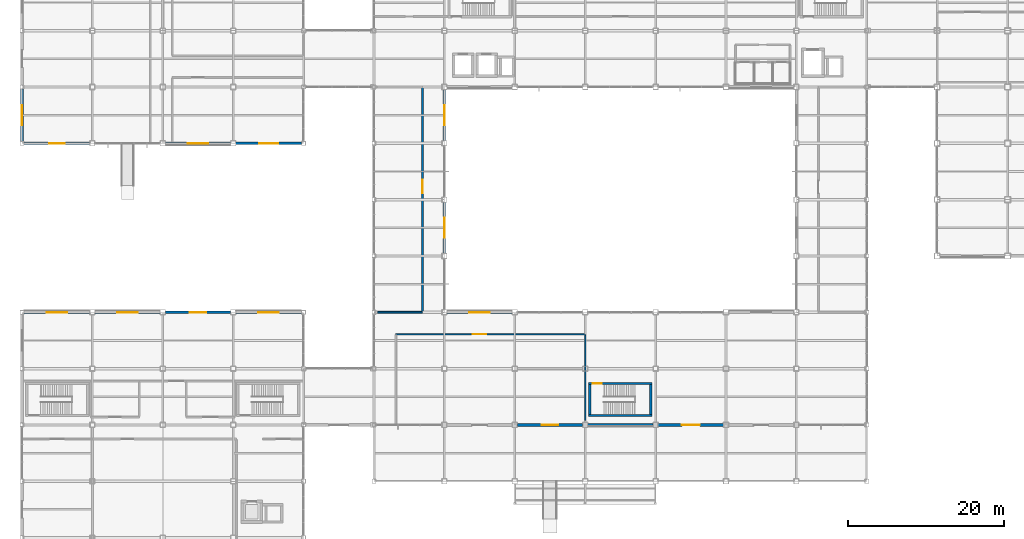
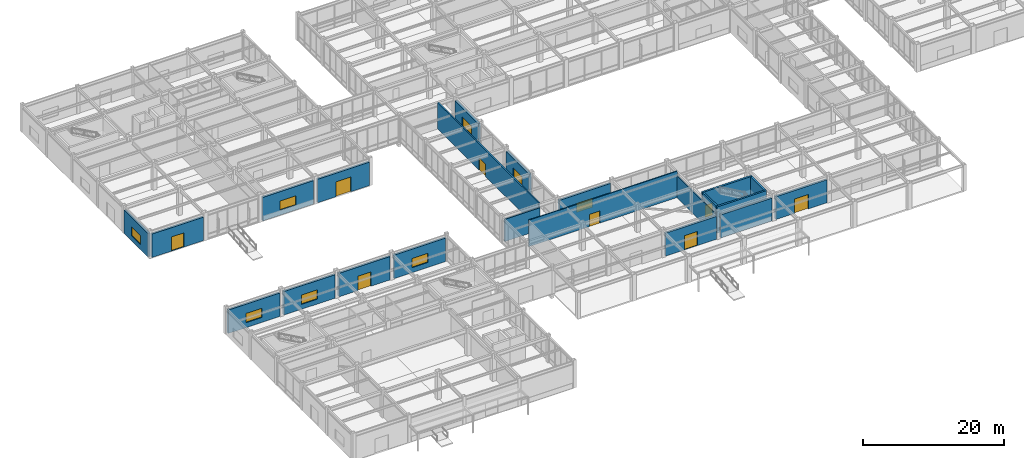
# One storey, part 88 of 112: 22 walls, 8 doors, 8 windows, 16 openings.
"""IFC4 building model written with IfcOpenShell, lengths in metres."""

from ifc_helpers import new_model, si_unit, direction, frame, frame_2d, origin, place, context, subcontext, project, spatial, rectangle, extrude, material, layer, layer_set, type_object, element, fill, save


model = new_model("IFC4")

# Units and contexts
model_context = context("Model", 3, precision=1e-05, world=origin(), true_north=direction((0.0, 1.0)))
body_context = subcontext(model_context, "Body", "Model", "MODEL_VIEW")
ifc_project = project(units=[si_unit("LENGTHUNIT", "METRE"), si_unit("AREAUNIT", "SQUARE_METRE"), si_unit("VOLUMEUNIT", "CUBIC_METRE"), si_unit("PLANEANGLEUNIT", "RADIAN"), si_unit("MASSUNIT", "GRAM", prefix="KILO")], contexts=[model_context])

# Site, building, storey
site_placement = place(None, origin())
site = spatial("IfcSite", under=ifc_project, at=site_placement, CompositionType="ELEMENT")
building_placement = place(site_placement, origin())
building = spatial("IfcBuilding", under=site, at=building_placement, Name="Kazanami Central Library", CompositionType="ELEMENT")
storey_placement = place(building_placement, origin())
storey = spatial("IfcBuildingStorey", under=building, at=storey_placement, Name="L01", CompositionType="ELEMENT", Elevation=0.0)

# Wall, opening, door
ifc_material_1 = material(Name="Concrete Fc36 (36 MPa)", Category="concrete")
ifc_layer_1 = layer(ifc_material_1, 0.27001953125, Name="Concrete Fc36 (36 MPa)")
ifc_material_2 = material(Name="Extruded Polystyrene XPS", Category="earth")
ifc_layer_2 = layer(ifc_material_2, 0.050048828125, Name="Extruded Polystyrene XPS")
ifc_material_3 = material(Name="Honed Inada Granite", Category="masonry")
ifc_layer_3 = layer(ifc_material_3, 0.030029296875, Name="Honed Inada Granite")
ifc_layer_set_1 = layer_set([ifc_layer_1, ifc_layer_2, ifc_layer_3], Name="Concrete Fc36 (36 MPa)")
wall_type_1 = type_object("IfcWallType", Name="WAL-EW-350", PredefinedType="STANDARD", material=ifc_layer_set_1)
wall_1_placement = place(storey_placement, frame((63.324951171875, 21.60009765625, 0.0), z_axis=(0.0, 0.0, 1.0), x_axis=(1.0, 0.0, 0.0)))
wall_1 = element("IfcWall", 1, at=wall_1_placement, inside=storey, type_object=wall_type_1, Name="Exterior Facade Wall EW-350 L01 S-D-07", PredefinedType="STANDARD", context=body_context, shape_type="SweptSolid", body=[
    extrude(rectangle(XDim=8.35009765625, YDim=0.35009765625, at=frame_2d((4.175048828125, 0.0))), origin(), (0.0, 0.0, 1.0), 3.955078125),
])
opening_1_placement = place(wall_1_placement, frame((3.125, 0.0, 0.0)))
opening_1 = element("IfcOpeningElement", 2, at=opening_1_placement, cuts=wall_1, Name="Opening ED-05", PredefinedType="OPENING", context=body_context, shape_type="SweptSolid", body=[
    extrude(rectangle(XDim=2.10009765625, YDim=2.449951171875, at=frame_2d((1.050048828125, 1.22509765625))), frame((0.0, 0.18701171875, 0.0), z_axis=(0.0, -1.0, 0.0), x_axis=(1.0, 0.0, 0.0)), (0.0, 0.0, 1.0), 0.3740234375),
])
ifc_material_4 = material(Name="Anodised Aluminium A6063-T5", Category="aluminium")
door_type_1 = type_object("IfcDoorType", Name="DOR-ED-05", OperationType="DOUBLE_DOOR_SINGLE_SWING", PredefinedType="DOOR", material=ifc_material_4)
door_1_placement = place(opening_1_placement, frame((2.10009765625, 0.0, 0.0), z_axis=(0.0, 0.0, 1.0), x_axis=(-1.0, 0.0, 0.0)))
door_1 = element("IfcDoor", 3, at=door_1_placement, inside=storey, type_object=door_type_1, Name="Main Pedestrian Exit Door 05", OperationType="DOUBLE_DOOR_SINGLE_SWING", OverallHeight=2.449951171875, OverallWidth=2.10009765625, PredefinedType="DOOR", context=body_context, shape_type="SweptSolid", body=[
    extrude(rectangle(XDim=2.10009765625, YDim=2.449951171875, at=frame_2d((1.050048828125, 1.22509765625))), frame((0.0, 0.02490234375, 0.0), z_axis=(0.0, -1.0, 0.0), x_axis=(1.0, 0.0, 0.0)), (0.0, 0.0, 1.0), 0.050048828125),
])
fill(opening_1, door_1)

# Wall
wall_2_placement = place(storey_placement, frame((72.324951171875, 21.60009765625, 0.0), z_axis=(0.0, 0.0, 1.0), x_axis=(1.0, 0.0, 0.0)))
element("IfcWall", 4, at=wall_2_placement, inside=storey, type_object=wall_type_1, Name="Exterior Facade Wall EW-350 L01 S-D-08", PredefinedType="STANDARD", context=body_context, shape_type="SweptSolid", body=[
    extrude(rectangle(XDim=8.35009765625, YDim=0.35009765625, at=frame_2d((4.175048828125, 0.0))), origin(), (0.0, 0.0, 1.0), 3.955078125),
])

# Wall, opening, door
wall_3_placement = place(storey_placement, frame((81.324951171875, 21.60009765625, 0.0), z_axis=(0.0, 0.0, 1.0), x_axis=(1.0, 0.0, 0.0)))
wall_3 = element("IfcWall", 5, at=wall_3_placement, inside=storey, type_object=wall_type_1, Name="Exterior Facade Wall EW-350 L01 S-D-09", PredefinedType="STANDARD", context=body_context, shape_type="SweptSolid", body=[
    extrude(rectangle(XDim=8.35009765625, YDim=0.35009765625, at=frame_2d((4.175048828125, 0.0))), origin(), (0.0, 0.0, 1.0), 3.955078125),
])
opening_2_placement = place(wall_3_placement, frame((3.02490234375, 0.0, 0.0)))
opening_2 = element("IfcOpeningElement", 6, at=opening_2_placement, cuts=wall_3, Name="Opening ED-06", PredefinedType="OPENING", context=body_context, shape_type="SweptSolid", body=[
    extrude(rectangle(XDim=2.300048828125, YDim=2.5, at=frame_2d((1.14990234375, 1.25))), frame((0.0, 0.18701171875, 0.0), z_axis=(0.0, -1.0, 0.0), x_axis=(1.0, 0.0, 0.0)), (0.0, 0.0, 1.0), 0.3740234375),
])
door_type_2 = type_object("IfcDoorType", Name="DOR-ED-06", OperationType="DOUBLE_DOOR_SINGLE_SWING", PredefinedType="DOOR", material=ifc_material_4)
door_2_placement = place(opening_2_placement, frame((2.300048828125, 0.0, 0.0), z_axis=(0.0, 0.0, 1.0), x_axis=(-1.0, 0.0, 0.0)))
door_2 = element("IfcDoor", 7, at=door_2_placement, inside=storey, type_object=door_type_2, Name="Main Pedestrian Exit Door 06", OperationType="DOUBLE_DOOR_SINGLE_SWING", OverallHeight=2.5, OverallWidth=2.300048828125, PredefinedType="DOOR", context=body_context, shape_type="SweptSolid", body=[
    extrude(rectangle(XDim=2.300048828125, YDim=2.5, at=frame_2d((1.14990234375, 1.25))), frame((0.0, 0.02490234375, 0.0), z_axis=(0.0, -1.0, 0.0), x_axis=(1.0, 0.0, 0.0)), (0.0, 0.0, 1.0), 0.050048828125),
])
fill(opening_2, door_2)

# Wall, opening, window
wall_4_placement = place(storey_placement, frame((8.675048828125, 36.0, 0.0), z_axis=(0.0, 0.0, 1.0), x_axis=(-1.0, 0.0, 0.0)))
wall_4 = element("IfcWall", 8, at=wall_4_placement, inside=storey, type_object=wall_type_1, Name="Exterior Facade Wall EW-350 L01 N-F-00", PredefinedType="STANDARD", context=body_context, shape_type="SweptSolid", body=[
    extrude(rectangle(XDim=8.425048828125, YDim=0.35009765625, at=frame_2d((4.21240234375, 0.0))), origin(), (0.0, 0.0, 1.0), 4.054931640625),
])
opening_3_placement = place(wall_4_placement, frame((2.91259765625, 0.0, 0.85009765625)))
opening_3 = element("IfcOpeningElement", 9, at=opening_3_placement, cuts=wall_4, Name="Opening WN-13", PredefinedType="OPENING", context=body_context, shape_type="SweptSolid", body=[
    extrude(rectangle(XDim=2.60009765625, YDim=1.60009765625, at=frame_2d((1.300048828125, 0.800048828125))), frame((0.0, 0.18701171875, 0.0), z_axis=(0.0, -1.0, 0.0), x_axis=(1.0, 0.0, 0.0)), (0.0, 0.0, 1.0), 0.3740234375),
])
ifc_material_5 = material(Name="Low-E Insulated Triple Glass", Category="glass")
window_type = type_object("IfcWindowType", Name="WIN-WN-13", PartitioningType="DOUBLE_PANEL_VERTICAL", PredefinedType="WINDOW", material=ifc_material_5)
window_1_placement = place(opening_3_placement, origin())
window_1 = element("IfcWindow", 10, at=window_1_placement, inside=storey, type_object=window_type, Name="Facade Window WN-13 L01 N-F-00", OverallHeight=1.60009765625, OverallWidth=2.60009765625, PartitioningType="DOUBLE_PANEL_VERTICAL", PredefinedType="WINDOW", context=body_context, shape_type="SweptSolid", body=[
    extrude(rectangle(XDim=2.60009765625, YDim=1.60009765625, at=frame_2d((1.300048828125, 0.800048828125))), frame((0.0, 0.030029296875, 0.0), z_axis=(0.0, -1.0, 0.0), x_axis=(1.0, 0.0, 0.0)), (0.0, 0.0, 1.0), 0.06005859375),
])
fill(opening_3, window_1)

wall_5_placement = place(storey_placement, frame((17.675048828125, 36.0, 0.0), z_axis=(0.0, 0.0, 1.0), x_axis=(-1.0, 0.0, 0.0)))
wall_5 = element("IfcWall", 11, at=wall_5_placement, inside=storey, type_object=wall_type_1, Name="Exterior Facade Wall EW-350 L01 N-F-01", PredefinedType="STANDARD", context=body_context, shape_type="SweptSolid", body=[
    extrude(rectangle(XDim=8.35009765625, YDim=0.35009765625, at=frame_2d((4.175048828125, 0.0))), origin(), (0.0, 0.0, 1.0), 4.054931640625),
])
opening_4_placement = place(wall_5_placement, frame((2.875, 0.0, 0.85009765625)))
opening_4 = element("IfcOpeningElement", 12, at=opening_4_placement, cuts=wall_5, Name="Opening WN-13", PredefinedType="OPENING", context=body_context, shape_type="SweptSolid", body=[
    extrude(rectangle(XDim=2.60009765625, YDim=1.60009765625, at=frame_2d((1.300048828125, 0.800048828125))), frame((0.0, 0.18701171875, 0.0), z_axis=(0.0, -1.0, 0.0), x_axis=(1.0, 0.0, 0.0)), (0.0, 0.0, 1.0), 0.3740234375),
])
window_2_placement = place(opening_4_placement, origin())
window_2 = element("IfcWindow", 13, at=window_2_placement, inside=storey, type_object=window_type, Name="Facade Window WN-13 L01 N-F-01", OverallHeight=1.60009765625, OverallWidth=2.60009765625, PartitioningType="DOUBLE_PANEL_VERTICAL", PredefinedType="WINDOW", context=body_context, shape_type="SweptSolid", body=[
    extrude(rectangle(XDim=2.60009765625, YDim=1.60009765625, at=frame_2d((1.300048828125, 0.800048828125))), frame((0.0, 0.030029296875, 0.0), z_axis=(0.0, -1.0, 0.0), x_axis=(1.0, 0.0, 0.0)), (0.0, 0.0, 1.0), 0.06005859375),
])
fill(opening_4, window_2)

# Wall, opening, door
wall_6_placement = place(storey_placement, frame((26.675048828125, 36.0, 0.0), z_axis=(0.0, 0.0, 1.0), x_axis=(-1.0, 0.0, 0.0)))
wall_6 = element("IfcWall", 14, at=wall_6_placement, inside=storey, type_object=wall_type_1, Name="Exterior Facade Wall EW-350 L01 N-F-02", PredefinedType="STANDARD", context=body_context, shape_type="SweptSolid", body=[
    extrude(rectangle(XDim=8.35009765625, YDim=0.35009765625, at=frame_2d((4.175048828125, 0.0))), origin(), (0.0, 0.0, 1.0), 4.054931640625),
])
opening_5_placement = place(wall_6_placement, frame((3.10009765625, 0.0, 0.0)))
opening_5 = element("IfcOpeningElement", 15, at=opening_5_placement, cuts=wall_6, Name="Opening ED-08", PredefinedType="OPENING", context=body_context, shape_type="SweptSolid", body=[
    extrude(rectangle(XDim=2.14990234375, YDim=2.47998046875, at=frame_2d((1.074951171875, 1.239990234375))), frame((0.0, 0.18701171875, 0.0), z_axis=(0.0, -1.0, 0.0), x_axis=(1.0, 0.0, 0.0)), (0.0, 0.0, 1.0), 0.3740234375),
])
door_type_3 = type_object("IfcDoorType", Name="DOR-ED-08", OperationType="DOUBLE_DOOR_SINGLE_SWING", PredefinedType="DOOR", material=ifc_material_4)
door_3_placement = place(opening_5_placement, frame((2.14990234375, 0.0, 0.0), z_axis=(0.0, 0.0, 1.0), x_axis=(-1.0, 0.0, 0.0)))
door_3 = element("IfcDoor", 16, at=door_3_placement, inside=storey, type_object=door_type_3, Name="Main Pedestrian Exit Door 08", OperationType="DOUBLE_DOOR_SINGLE_SWING", OverallHeight=2.47998046875, OverallWidth=2.14990234375, PredefinedType="DOOR", context=body_context, shape_type="SweptSolid", body=[
    extrude(rectangle(XDim=2.14990234375, YDim=2.47998046875, at=frame_2d((1.074951171875, 1.239990234375))), frame((0.0, 0.02490234375, 0.0), z_axis=(0.0, -1.0, 0.0), x_axis=(1.0, 0.0, 0.0)), (0.0, 0.0, 1.0), 0.050048828125),
])
fill(opening_5, door_3)

# Wall, opening, window
wall_7_placement = place(storey_placement, frame((35.75, 36.0, 0.0), z_axis=(0.0, 0.0, 1.0), x_axis=(-1.0, 0.0, 0.0)))
wall_7 = element("IfcWall", 17, at=wall_7_placement, inside=storey, type_object=wall_type_1, Name="Exterior Facade Wall EW-350 L01 N-F-03", PredefinedType="STANDARD", context=body_context, shape_type="SweptSolid", body=[
    extrude(rectangle(XDim=8.425048828125, YDim=0.35009765625, at=frame_2d((4.21240234375, 0.0))), origin(), (0.0, 0.0, 1.0), 4.054931640625),
])
opening_6_placement = place(wall_7_placement, frame((2.91259765625, 0.0, 0.85009765625)))
opening_6 = element("IfcOpeningElement", 18, at=opening_6_placement, cuts=wall_7, Name="Opening WN-13", PredefinedType="OPENING", context=body_context, shape_type="SweptSolid", body=[
    extrude(rectangle(XDim=2.60009765625, YDim=1.60009765625, at=frame_2d((1.300048828125, 0.800048828125))), frame((0.0, 0.18701171875, 0.0), z_axis=(0.0, -1.0, 0.0), x_axis=(1.0, 0.0, 0.0)), (0.0, 0.0, 1.0), 0.3740234375),
])
window_3_placement = place(opening_6_placement, origin())
window_3 = element("IfcWindow", 19, at=window_3_placement, inside=storey, type_object=window_type, Name="Facade Window WN-13 L01 N-F-03", OverallHeight=1.60009765625, OverallWidth=2.60009765625, PartitioningType="DOUBLE_PANEL_VERTICAL", PredefinedType="WINDOW", context=body_context, shape_type="SweptSolid", body=[
    extrude(rectangle(XDim=2.60009765625, YDim=1.60009765625, at=frame_2d((1.300048828125, 0.800048828125))), frame((0.0, 0.030029296875, 0.0), z_axis=(0.0, -1.0, 0.0), x_axis=(1.0, 0.0, 0.0)), (0.0, 0.0, 1.0), 0.06005859375),
])
fill(opening_6, window_3)

wall_8_placement = place(storey_placement, frame((62.675048828125, 36.0, 0.0), z_axis=(0.0, 0.0, 1.0), x_axis=(-1.0, 0.0, 0.0)))
wall_8 = element("IfcWall", 20, at=wall_8_placement, inside=storey, type_object=wall_type_1, Name="Exterior Facade Wall EW-350 L01 N-F-06", PredefinedType="STANDARD", context=body_context, shape_type="SweptSolid", body=[
    extrude(rectangle(XDim=8.35009765625, YDim=0.35009765625, at=frame_2d((4.175048828125, 0.0))), origin(), (0.0, 0.0, 1.0), 4.054931640625),
])
opening_7_placement = place(wall_8_placement, frame((2.875, 0.0, 0.85009765625)))
opening_7 = element("IfcOpeningElement", 21, at=opening_7_placement, cuts=wall_8, Name="Opening WN-13", PredefinedType="OPENING", context=body_context, shape_type="SweptSolid", body=[
    extrude(rectangle(XDim=2.60009765625, YDim=1.60009765625, at=frame_2d((1.300048828125, 0.800048828125))), frame((0.0, 0.18701171875, 0.0), z_axis=(0.0, -1.0, 0.0), x_axis=(1.0, 0.0, 0.0)), (0.0, 0.0, 1.0), 0.3740234375),
])
window_4_placement = place(opening_7_placement, origin())
window_4 = element("IfcWindow", 22, at=window_4_placement, inside=storey, type_object=window_type, Name="Facade Window WN-13 L01 N-F-06", OverallHeight=1.60009765625, OverallWidth=2.60009765625, PartitioningType="DOUBLE_PANEL_VERTICAL", PredefinedType="WINDOW", context=body_context, shape_type="SweptSolid", body=[
    extrude(rectangle(XDim=2.60009765625, YDim=1.60009765625, at=frame_2d((1.300048828125, 0.800048828125))), frame((0.0, 0.030029296875, 0.0), z_axis=(0.0, -1.0, 0.0), x_axis=(1.0, 0.0, 0.0)), (0.0, 0.0, 1.0), 0.06005859375),
])
fill(opening_7, window_4)

# Wall, opening, door
wall_9_placement = place(storey_placement, frame((0.25, 57.60009765625, 0.0), z_axis=(0.0, 0.0, 1.0), x_axis=(1.0, 0.0, 0.0)))
wall_9 = element("IfcWall", 23, at=wall_9_placement, inside=storey, type_object=wall_type_1, Name="Exterior Facade Wall EW-350 L01 S-J-00", PredefinedType="STANDARD", context=body_context, shape_type="SweptSolid", body=[
    extrude(rectangle(XDim=8.425048828125, YDim=0.35009765625, at=frame_2d((4.21240234375, 0.0))), origin(), (0.0, 0.0, 1.0), 4.054931640625),
])
opening_8_placement = place(wall_9_placement, frame((3.21240234375, 0.0, 0.0)))
opening_8 = element("IfcOpeningElement", 24, at=opening_8_placement, cuts=wall_9, Name="Opening ED-02", PredefinedType="OPENING", context=body_context, shape_type="SweptSolid", body=[
    extrude(rectangle(XDim=2.0, YDim=2.449951171875, at=frame_2d((1.0, 1.22509765625))), frame((0.0, 0.18701171875, 0.0), z_axis=(0.0, -1.0, 0.0), x_axis=(1.0, 0.0, 0.0)), (0.0, 0.0, 1.0), 0.3740234375),
])
door_type_4 = type_object("IfcDoorType", Name="DOR-ED-02", OperationType="DOUBLE_DOOR_SINGLE_SWING", PredefinedType="DOOR", material=ifc_material_4)
door_4_placement = place(opening_8_placement, frame((2.0, 0.0, 0.0), z_axis=(0.0, 0.0, 1.0), x_axis=(-1.0, 0.0, 0.0)))
door_4 = element("IfcDoor", 25, at=door_4_placement, inside=storey, type_object=door_type_4, Name="Main Pedestrian Exit Door 10", OperationType="DOUBLE_DOOR_SINGLE_SWING", OverallHeight=2.449951171875, OverallWidth=2.0, PredefinedType="DOOR", context=body_context, shape_type="SweptSolid", body=[
    extrude(rectangle(XDim=2.0, YDim=2.449951171875, at=frame_2d((1.0, 1.22509765625))), frame((0.0, 0.02490234375, 0.0), z_axis=(0.0, -1.0, 0.0), x_axis=(1.0, 0.0, 0.0)), (0.0, 0.0, 1.0), 0.050048828125),
])
fill(opening_8, door_4)

# Wall, opening, window
wall_10_placement = place(storey_placement, frame((18.324951171875, 57.60009765625, 0.0), z_axis=(0.0, 0.0, 1.0), x_axis=(1.0, 0.0, 0.0)))
wall_10 = element("IfcWall", 26, at=wall_10_placement, inside=storey, type_object=wall_type_1, Name="Exterior Facade Wall EW-350 L01 S-J-02", PredefinedType="STANDARD", context=body_context, shape_type="SweptSolid", body=[
    extrude(rectangle(XDim=8.35009765625, YDim=0.35009765625, at=frame_2d((4.175048828125, 0.0))), origin(), (0.0, 0.0, 1.0), 4.054931640625),
])
opening_9_placement = place(wall_10_placement, frame((2.875, 0.0, 0.85009765625)))
opening_9 = element("IfcOpeningElement", 27, at=opening_9_placement, cuts=wall_10, Name="Opening WN-13", PredefinedType="OPENING", context=body_context, shape_type="SweptSolid", body=[
    extrude(rectangle(XDim=2.60009765625, YDim=1.60009765625, at=frame_2d((1.300048828125, 0.800048828125))), frame((0.0, 0.18701171875, 0.0), z_axis=(0.0, -1.0, 0.0), x_axis=(1.0, 0.0, 0.0)), (0.0, 0.0, 1.0), 0.3740234375),
])
window_5_placement = place(opening_9_placement, origin())
window_5 = element("IfcWindow", 28, at=window_5_placement, inside=storey, type_object=window_type, Name="Facade Window WN-13 L01 S-J-02", OverallHeight=1.60009765625, OverallWidth=2.60009765625, PartitioningType="DOUBLE_PANEL_VERTICAL", PredefinedType="WINDOW", context=body_context, shape_type="SweptSolid", body=[
    extrude(rectangle(XDim=2.60009765625, YDim=1.60009765625, at=frame_2d((1.300048828125, 0.800048828125))), frame((0.0, 0.030029296875, 0.0), z_axis=(0.0, -1.0, 0.0), x_axis=(1.0, 0.0, 0.0)), (0.0, 0.0, 1.0), 0.06005859375),
])
fill(opening_9, window_5)

# Wall, opening, door
wall_11_placement = place(storey_placement, frame((27.324951171875, 57.60009765625, 0.0), z_axis=(0.0, 0.0, 1.0), x_axis=(1.0, 0.0, 0.0)))
wall_11 = element("IfcWall", 29, at=wall_11_placement, inside=storey, type_object=wall_type_1, Name="Exterior Facade Wall EW-350 L01 S-J-03", PredefinedType="STANDARD", context=body_context, shape_type="SweptSolid", body=[
    extrude(rectangle(XDim=8.425048828125, YDim=0.35009765625, at=frame_2d((4.21240234375, 0.0))), origin(), (0.0, 0.0, 1.0), 4.054931640625),
])
opening_10_placement = place(wall_11_placement, frame((3.012451171875, 0.0, 0.0)))
opening_10 = element("IfcOpeningElement", 30, at=opening_10_placement, cuts=wall_11, Name="Opening ED-03", PredefinedType="OPENING", context=body_context, shape_type="SweptSolid", body=[
    extrude(rectangle(XDim=2.39990234375, YDim=2.550048828125, at=frame_2d((1.199951171875, 1.27490234375))), frame((0.0, 0.18701171875, 0.0), z_axis=(0.0, -1.0, 0.0), x_axis=(1.0, 0.0, 0.0)), (0.0, 0.0, 1.0), 0.3740234375),
])
door_type_5 = type_object("IfcDoorType", Name="DOR-ED-03", OperationType="DOUBLE_DOOR_SINGLE_SWING", PredefinedType="DOOR", material=ifc_material_4)
door_5_placement = place(opening_10_placement, frame((2.39990234375, 0.0, 0.0), z_axis=(0.0, 0.0, 1.0), x_axis=(-1.0, 0.0, 0.0)))
door_5 = element("IfcDoor", 31, at=door_5_placement, inside=storey, type_object=door_type_5, Name="Main Pedestrian Exit Door 11", OperationType="DOUBLE_DOOR_SINGLE_SWING", OverallHeight=2.550048828125, OverallWidth=2.39990234375, PredefinedType="DOOR", context=body_context, shape_type="SweptSolid", body=[
    extrude(rectangle(XDim=2.39990234375, YDim=2.550048828125, at=frame_2d((1.199951171875, 1.27490234375))), frame((0.0, 0.02490234375, 0.0), z_axis=(0.0, -1.0, 0.0), x_axis=(1.0, 0.0, 0.0)), (0.0, 0.0, 1.0), 0.050048828125),
])
fill(opening_10, door_5)

# Wall, opening, window
wall_12_placement = place(storey_placement, frame((0.0, 57.85009765625, 0.0), z_axis=(0.0, 0.0, 1.0), x_axis=(0.0, 1.0, 0.0)))
wall_12 = element("IfcWall", 32, at=wall_12_placement, inside=storey, type_object=wall_type_1, Name="Exterior Facade Wall EW-350 L01 W-1-08", PredefinedType="STANDARD", context=body_context, shape_type="SweptSolid", body=[
    extrude(rectangle(XDim=6.699951171875, YDim=0.35009765625, at=frame_2d((3.35009765625, 0.0))), origin(), (0.0, 0.0, 1.0), 4.054931640625),
])
opening_11_placement = place(wall_12_placement, frame((2.050048828125, 0.0, 0.85009765625)))
opening_11 = element("IfcOpeningElement", 33, at=opening_11_placement, cuts=wall_12, Name="Opening WN-13", PredefinedType="OPENING", context=body_context, shape_type="SweptSolid", body=[
    extrude(rectangle(XDim=2.60009765625, YDim=1.60009765625, at=frame_2d((1.300048828125, 0.800048828125))), frame((0.0, 0.18701171875, 0.0), z_axis=(0.0, -1.0, 0.0), x_axis=(1.0, 0.0, 0.0)), (0.0, 0.0, 1.0), 0.3740234375),
])
window_6_placement = place(opening_11_placement, origin())
window_6 = element("IfcWindow", 34, at=window_6_placement, inside=storey, type_object=window_type, Name="Facade Window WN-13 L01 W-1-08", OverallHeight=1.60009765625, OverallWidth=2.60009765625, PartitioningType="DOUBLE_PANEL_VERTICAL", PredefinedType="WINDOW", context=body_context, shape_type="SweptSolid", body=[
    extrude(rectangle(XDim=2.60009765625, YDim=1.60009765625, at=frame_2d((1.300048828125, 0.800048828125))), frame((0.0, 0.030029296875, 0.0), z_axis=(0.0, -1.0, 0.0), x_axis=(1.0, 0.0, 0.0)), (0.0, 0.0, 1.0), 0.06005859375),
])
fill(opening_11, window_6)

wall_13_placement = place(storey_placement, frame((54.0, 50.074951171875, 0.0), z_axis=(0.0, 0.0, 1.0), x_axis=(0.0, -1.0, 0.0)))
wall_13 = element("IfcWall", 35, at=wall_13_placement, inside=storey, type_object=wall_type_1, Name="Exterior Facade Wall EW-350 L01 E-7-06", PredefinedType="STANDARD", context=body_context, shape_type="SweptSolid", body=[
    extrude(rectangle(XDim=6.550048828125, YDim=0.35009765625, at=frame_2d((3.27490234375, 0.0))), origin(), (0.0, 0.0, 1.0), 4.054931640625),
])
opening_12_placement = place(wall_13_placement, frame((1.97509765625, 0.0, 0.85009765625)))
opening_12 = element("IfcOpeningElement", 36, at=opening_12_placement, cuts=wall_13, Name="Opening WN-13", PredefinedType="OPENING", context=body_context, shape_type="SweptSolid", body=[
    extrude(rectangle(XDim=2.60009765625, YDim=1.60009765625, at=frame_2d((1.300048828125, 0.800048828125))), frame((0.0, 0.18701171875, 0.0), z_axis=(0.0, -1.0, 0.0), x_axis=(1.0, 0.0, 0.0)), (0.0, 0.0, 1.0), 0.3740234375),
])
window_7_placement = place(opening_12_placement, origin())
window_7 = element("IfcWindow", 37, at=window_7_placement, inside=storey, type_object=window_type, Name="Facade Window WN-13 L01 E-7-06", OverallHeight=1.60009765625, OverallWidth=2.60009765625, PartitioningType="DOUBLE_PANEL_VERTICAL", PredefinedType="WINDOW", context=body_context, shape_type="SweptSolid", body=[
    extrude(rectangle(XDim=2.60009765625, YDim=1.60009765625, at=frame_2d((1.300048828125, 0.800048828125))), frame((0.0, 0.030029296875, 0.0), z_axis=(0.0, -1.0, 0.0), x_axis=(1.0, 0.0, 0.0)), (0.0, 0.0, 1.0), 0.06005859375),
])
fill(opening_12, window_7)

wall_14_placement = place(storey_placement, frame((54.0, 64.47509765625, 0.0), z_axis=(0.0, 0.0, 1.0), x_axis=(0.0, -1.0, 0.0)))
wall_14 = element("IfcWall", 38, at=wall_14_placement, inside=storey, type_object=wall_type_1, Name="Exterior Facade Wall EW-350 L01 E-7-08", PredefinedType="STANDARD", context=body_context, shape_type="SweptSolid", body=[
    extrude(rectangle(XDim=6.550048828125, YDim=0.35009765625, at=frame_2d((3.27490234375, 0.0))), origin(), (0.0, 0.0, 1.0), 4.054931640625),
])
opening_13_placement = place(wall_14_placement, frame((1.97509765625, 0.0, 0.85009765625)))
opening_13 = element("IfcOpeningElement", 39, at=opening_13_placement, cuts=wall_14, Name="Opening WN-13", PredefinedType="OPENING", context=body_context, shape_type="SweptSolid", body=[
    extrude(rectangle(XDim=2.60009765625, YDim=1.60009765625, at=frame_2d((1.300048828125, 0.800048828125))), frame((0.0, 0.18701171875, 0.0), z_axis=(0.0, -1.0, 0.0), x_axis=(1.0, 0.0, 0.0)), (0.0, 0.0, 1.0), 0.3740234375),
])
window_8_placement = place(opening_13_placement, origin())
window_8 = element("IfcWindow", 40, at=window_8_placement, inside=storey, type_object=window_type, Name="Facade Window WN-13 L01 E-7-08", OverallHeight=1.60009765625, OverallWidth=2.60009765625, PartitioningType="DOUBLE_PANEL_VERTICAL", PredefinedType="WINDOW", context=body_context, shape_type="SweptSolid", body=[
    extrude(rectangle(XDim=2.60009765625, YDim=1.60009765625, at=frame_2d((1.300048828125, 0.800048828125))), frame((0.0, 0.030029296875, 0.0), z_axis=(0.0, -1.0, 0.0), x_axis=(1.0, 0.0, 0.0)), (0.0, 0.0, 1.0), 0.06005859375),
])
fill(opening_13, window_8)

# Wall, opening, door
ifc_material_6 = material(Name="Fire-Resistant Gypsum Board GB-F", Category="gypsum")
ifc_layer_4 = layer(ifc_material_6, 0.1650390625, Name="Fire-Resistant Gypsum Board GB-F")
ifc_layer_set_2 = layer_set([ifc_layer_4], Name="Fire-Resistant Gypsum Board GB-F")
wall_type_2 = type_object("IfcWallType", Name="WAL-FW-165", PredefinedType="PARTITIONING", material=ifc_layer_set_2)
wall_15_placement = place(storey_placement, frame((47.800048828125, 33.199951171875, 0.0), z_axis=(0.0, 0.0, 1.0), x_axis=(1.0, 0.0, 0.0)))
wall_15 = element("IfcWall", 41, at=wall_15_placement, inside=storey, type_object=wall_type_2, Name="Interior Partition FW-165 L01 RM-27 (North)", PredefinedType="PARTITIONING", context=body_context, shape_type="SweptSolid", body=[
    extrude(rectangle(XDim=24.199951171875, YDim=0.1650390625, at=frame_2d((12.10009765625, 0.0))), origin(), (0.0, 0.0, 1.0), 4.554931640625),
])
opening_14_placement = place(wall_15_placement, frame((9.85009765625, 0.0, 0.0)))
opening_14 = element("IfcOpeningElement", 42, at=opening_14_placement, cuts=wall_15, Name="Opening FD30-4", PredefinedType="OPENING", context=body_context, shape_type="SweptSolid", body=[
    extrude(rectangle(XDim=1.699951171875, YDim=2.1201171875, at=frame_2d((0.85009765625, 1.06005859375))), frame((0.0, 0.094482421875, 0.0), z_axis=(0.0, -1.0, 0.0), x_axis=(1.0, 0.0, 0.0)), (0.0, 0.0, 1.0), 0.18896484375),
])
ifc_material_7 = material(Name="Cold-Rolled Steel SPCC", Category="steel")
door_type_6 = type_object("IfcDoorType", Name="DOR-FD30-4", OperationType="DOUBLE_DOOR_SINGLE_SWING", PredefinedType="DOOR", material=ifc_material_7)
door_6_placement = place(opening_14_placement, origin())
door_6 = element("IfcDoor", 43, at=door_6_placement, inside=storey, type_object=door_type_6, Name="Interior Door FD30-4 L01 RM-27", OperationType="DOUBLE_DOOR_SINGLE_SWING", OverallHeight=2.1201171875, OverallWidth=1.699951171875, PredefinedType="DOOR", context=body_context, shape_type="SweptSolid", body=[
    extrude(rectangle(XDim=1.699951171875, YDim=2.1201171875, at=frame_2d((0.85009765625, 1.06005859375))), frame((0.0, 0.02490234375, 0.0), z_axis=(0.0, -1.0, 0.0), x_axis=(1.0, 0.0, 0.0)), (0.0, 0.0, 1.0), 0.050048828125),
])
fill(opening_14, door_6)

# Walls
wall_16_placement = place(storey_placement, frame((72.0, 22.199951171875, 0.0), z_axis=(0.0, 0.0, 1.0), x_axis=(0.0, 1.0, 0.0)))
element("IfcWall", 44, at=wall_16_placement, inside=storey, type_object=wall_type_2, Name="Interior Partition FW-165 L01 RM-27 (East)", PredefinedType="PARTITIONING", context=body_context, shape_type="SweptSolid", body=[
    extrude(rectangle(XDim=10.91015625, YDim=0.1650390625, at=frame_2d((5.455078125, 0.0))), origin(), (0.0, 0.0, 1.0), 3.8349609375),
])
ifc_layer_5 = layer(ifc_material_6, 0.219970703125, Name="Fire-Resistant Gypsum Board GB-F")
ifc_layer_set_3 = layer_set([ifc_layer_5], Name="Fire-Resistant Gypsum Board GB-F")
wall_type_3 = type_object("IfcWallType", Name="WAL-FW-220", PredefinedType="PARTITIONING", material=ifc_layer_set_3)
wall_17_placement = place(storey_placement, frame((45.455078125, 36.0, 0.0), z_axis=(0.0, 0.0, 1.0), x_axis=(1.0, 0.0, 0.0)))
element("IfcWall", 45, at=wall_17_placement, inside=storey, type_object=wall_type_3, Name="Interior Partition FW-220 L01 RM-29 (South)", PredefinedType="PARTITIONING", context=body_context, shape_type="SweptSolid", body=[
    extrude(rectangle(XDim=5.744873046875, YDim=0.219970703125, at=frame_2d((2.87255859375, 0.0))), origin(), (0.0, 0.0, 1.0), 3.8349609375),
])

# Wall, opening, door
wall_18_placement = place(storey_placement, frame((51.199951171875, 36.090087890625, 0.0), z_axis=(0.0, 0.0, 1.0), x_axis=(0.0, 1.0, 0.0)))
wall_18 = element("IfcWall", 46, at=wall_18_placement, inside=storey, type_object=wall_type_3, Name="Interior Partition FW-220 L01 RM-29 (East)", PredefinedType="PARTITIONING", context=body_context, shape_type="SweptSolid", body=[
    extrude(rectangle(XDim=28.619873046875, YDim=0.219970703125, at=frame_2d((14.31005859375, 0.0))), origin(), (0.0, 0.0, 1.0), 4.554931640625),
])
opening_15_placement = place(wall_18_placement, frame((15.110107421875, 0.0, 0.0)))
opening_15 = element("IfcOpeningElement", 47, at=opening_15_placement, cuts=wall_18, Name="Opening FD60-5", PredefinedType="OPENING", context=body_context, shape_type="SweptSolid", body=[
    extrude(rectangle(XDim=1.75, YDim=2.1201171875, at=frame_2d((0.875, 1.06005859375))), frame((0.0, 0.1220703125, 0.0), z_axis=(0.0, -1.0, 0.0), x_axis=(1.0, 0.0, 0.0)), (0.0, 0.0, 1.0), 0.243896484375),
])
door_type_7 = type_object("IfcDoorType", Name="DOR-FD60-5", OperationType="DOUBLE_DOOR_SINGLE_SWING", PredefinedType="DOOR", material=ifc_material_7)
door_7_placement = place(opening_15_placement, origin())
door_7 = element("IfcDoor", 48, at=door_7_placement, inside=storey, type_object=door_type_7, Name="Interior Door FD60-5 L01 RM-29", OperationType="DOUBLE_DOOR_SINGLE_SWING", OverallHeight=2.1201171875, OverallWidth=1.75, PredefinedType="DOOR", context=body_context, shape_type="SweptSolid", body=[
    extrude(rectangle(XDim=1.75, YDim=2.1201171875, at=frame_2d((0.875, 1.06005859375))), frame((0.0, 0.02490234375, 0.0), z_axis=(0.0, -1.0, 0.0), x_axis=(1.0, 0.0, 0.0)), (0.0, 0.0, 1.0), 0.050048828125),
])
fill(opening_15, door_7)

# Wall
ifc_layer_6 = layer(ifc_material_1, 0.300048828125, Name="Concrete Fc36 (36 MPa)")
ifc_layer_set_4 = layer_set([ifc_layer_6], Name="Concrete Fc36 (36 MPa)")
wall_type_4 = type_object("IfcWallType", Name="WAL-SW-300", PredefinedType="SHEAR", material=ifc_layer_set_4)
wall_19_placement = place(storey_placement, frame((72.449951171875, 22.800048828125, 0.0), z_axis=(0.0, 0.0, 1.0), x_axis=(1.0, 0.0, 0.0)))
element("IfcWall", 49, at=wall_19_placement, inside=storey, type_object=wall_type_4, Name="Stair Core Wall ST-09 South L01", PredefinedType="SHEAR", context=body_context, shape_type="SweptSolid", body=[
    extrude(rectangle(XDim=8.10009765625, YDim=0.300048828125, at=frame_2d((4.050048828125, 0.0))), origin(), (0.0, 0.0, 1.0), 4.554931640625),
])

# Wall, opening, door
wall_20_placement = place(storey_placement, frame((72.449951171875, 26.89990234375, 0.0), z_axis=(0.0, 0.0, 1.0), x_axis=(1.0, 0.0, 0.0)))
wall_20 = element("IfcWall", 50, at=wall_20_placement, inside=storey, type_object=wall_type_4, Name="Stair Core Wall ST-09 North L01", PredefinedType="SHEAR", context=body_context, shape_type="SweptSolid", body=[
    extrude(rectangle(XDim=8.10009765625, YDim=0.300048828125, at=frame_2d((4.050048828125, 0.0))), origin(), (0.0, 0.0, 1.0), 4.554931640625),
])
opening_16_placement = place(wall_20_placement, frame((0.5, 0.0, 0.0)))
opening_16 = element("IfcOpeningElement", 51, at=opening_16_placement, cuts=wall_20, Name="Opening FD60-1", PredefinedType="OPENING", context=body_context, shape_type="SweptSolid", body=[
    extrude(rectangle(XDim=1.199951171875, YDim=2.10009765625, at=frame_2d((0.60009765625, 1.050048828125))), frame((0.0, 0.162109375, 0.0), z_axis=(0.0, -1.0, 0.0), x_axis=(1.0, 0.0, 0.0)), (0.0, 0.0, 1.0), 0.323974609375),
])
door_type_8 = type_object("IfcDoorType", Name="DOR-FD60-1", OperationType="NOTDEFINED", PredefinedType="DOOR", material=ifc_material_7)
door_8_placement = place(opening_16_placement, origin())
door_8 = element("IfcDoor", 52, at=door_8_placement, inside=storey, type_object=door_type_8, Name="Escape Stair ST-09 Fire Door L01", OperationType="SINGLE_SWING_LEFT", OverallHeight=2.10009765625, OverallWidth=1.199951171875, PredefinedType="DOOR", context=body_context, shape_type="SweptSolid", body=[
    extrude(rectangle(XDim=1.199951171875, YDim=2.10009765625, at=frame_2d((0.60009765625, 1.050048828125))), frame((0.0, 0.02490234375, 0.0), z_axis=(0.0, -1.0, 0.0), x_axis=(1.0, 0.0, 0.0)), (0.0, 0.0, 1.0), 0.050048828125),
])
fill(opening_16, door_8)

# Walls
for number, where, z_axis, x_axis, name in (
    (53, (72.60009765625, 22.949951171875, 0.0), (0.0, 0.0, 1.0), (0.0, 1.0, 0.0), "Stair Core Wall ST-09 West L01"),
    (54, (80.39990234375, 22.949951171875, 0.0), (0.0, 0.0, 1.0), (0.0, 1.0, 0.0), "Stair Core Wall ST-09 East L01"),
):
    element("IfcWall", number, at=place(storey_placement, frame(where, z_axis=z_axis, x_axis=x_axis)), inside=storey, type_object=wall_type_4, Name=name, PredefinedType="SHEAR", context=body_context, shape_type="SweptSolid", body=[
        extrude(rectangle(XDim=3.800048828125, YDim=0.300048828125, at=frame_2d((1.89990234375, 0.0))), origin(), (0.0, 0.0, 1.0), 4.554931640625),
    ])

save(model, "model.ifc")
